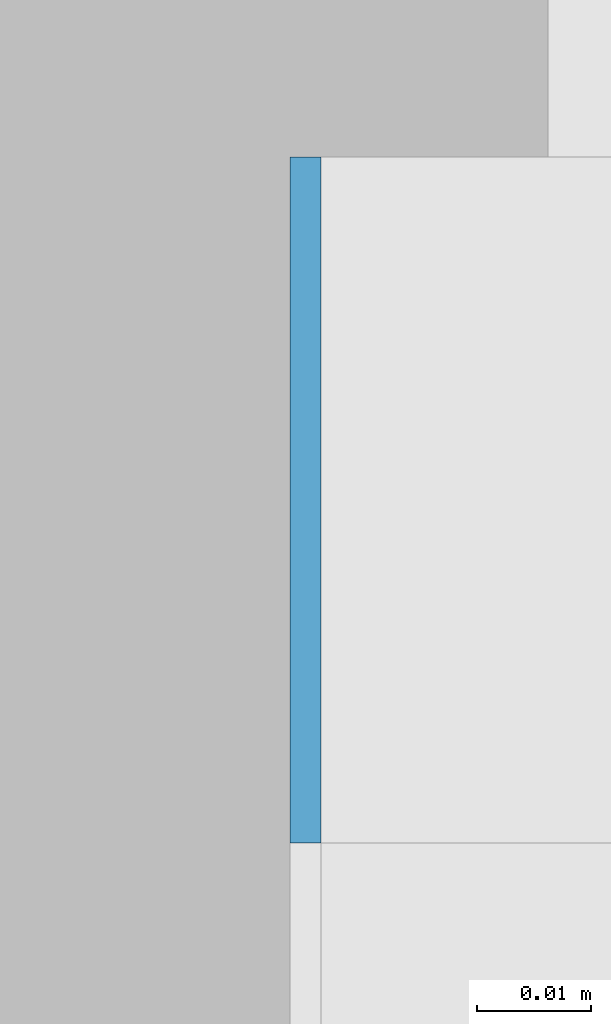
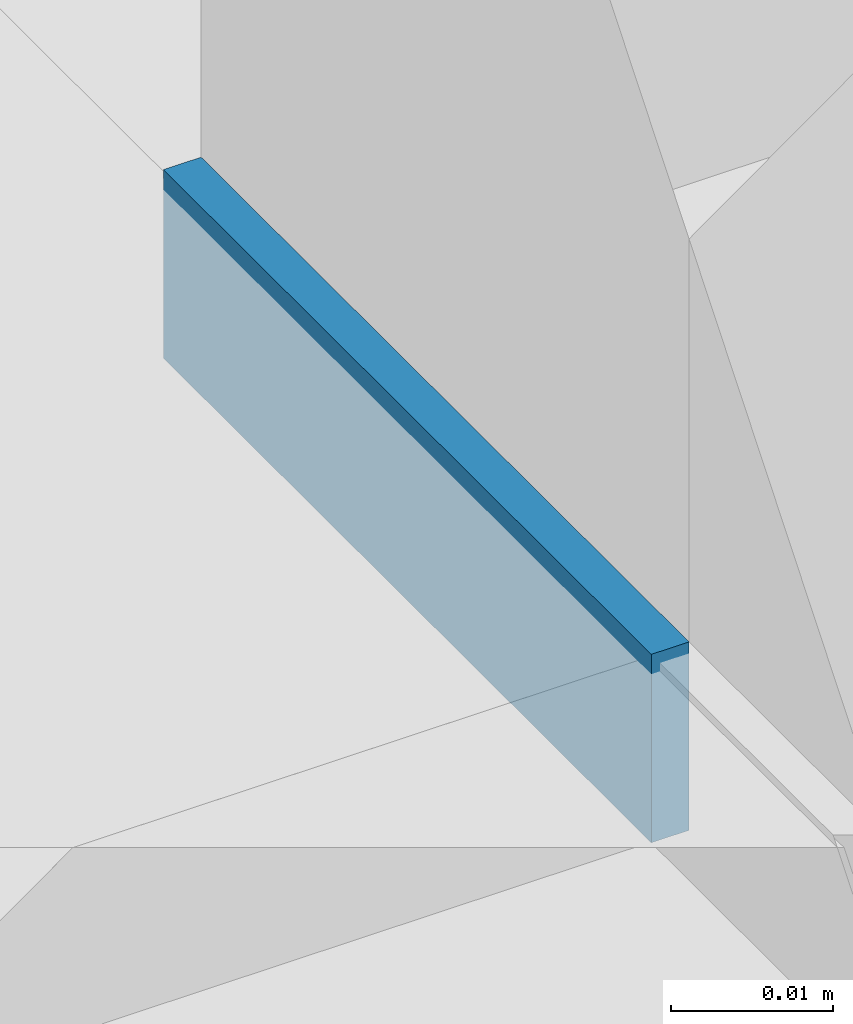
# One storey, part 590 of 646: 1 discrete accessory.
"""IFC4 building model written with IfcOpenShell, lengths in metres."""

from ifc_helpers import new_model, si_unit, direction, frame, origin, origin_2d, place, context, subcontext, project, spatial, rectangle, extrude, material, type_object, element, save


model = new_model("IFC4")

# Units and contexts
model_context = context("Model", 3, precision=1e-05, world=origin(), true_north=direction((0.0, 1.0)))
body_context = subcontext(model_context, "Body", "Model", "MODEL_VIEW")
ifc_project = project(units=[si_unit("LENGTHUNIT", "METRE"), si_unit("AREAUNIT", "SQUARE_METRE"), si_unit("VOLUMEUNIT", "CUBIC_METRE"), si_unit("PLANEANGLEUNIT", "RADIAN"), si_unit("MASSUNIT", "GRAM", prefix="KILO")], contexts=[model_context])

# Site, building, storey
site_placement = place(None, origin())
site = spatial("IfcSite", under=ifc_project, at=site_placement, CompositionType="ELEMENT")
building_placement = place(site_placement, origin())
building = spatial("IfcBuilding", under=site, at=building_placement, Name="Silverbay Arena", CompositionType="ELEMENT")
storey_placement = place(building_placement, frame((0.0, 0.0, 33.5)))
storey = spatial("IfcBuildingStorey", under=building, at=storey_placement, Name="L05", CompositionType="ELEMENT", Elevation=33.5)

# Discrete accessory
ifc_material = material(Name="Steel S355", Category="steel")
discrete_accessory_type = type_object("IfcDiscreteAccessoryType", Name="Steel bracket plate", PredefinedType="BRACKET", material=ifc_material)
discrete_accessory_placement = place(storey_placement, frame((207.128662109375, 117.030029296875, 4.0), z_axis=(0.0, 0.0, 1.0), x_axis=(1.0, 0.0, 0.0)))
element("IfcDiscreteAccessory", 1, at=discrete_accessory_placement, inside=storey, type_object=discrete_accessory_type, Name="Curtain wall packing plate", PredefinedType="BRACKET", context=body_context, shape_type="SweptSolid", body=[
    extrude(rectangle(XDim=0.002685546875, YDim=0.06005859375, at=origin_2d()), origin(), (0.0, 0.0, 1.0), 0.01416015625),
])

save(model, "model.ifc")
